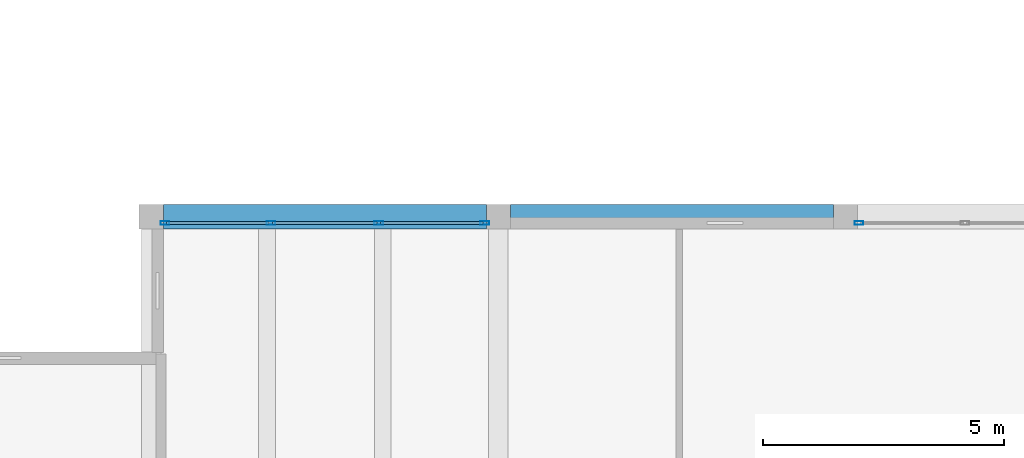
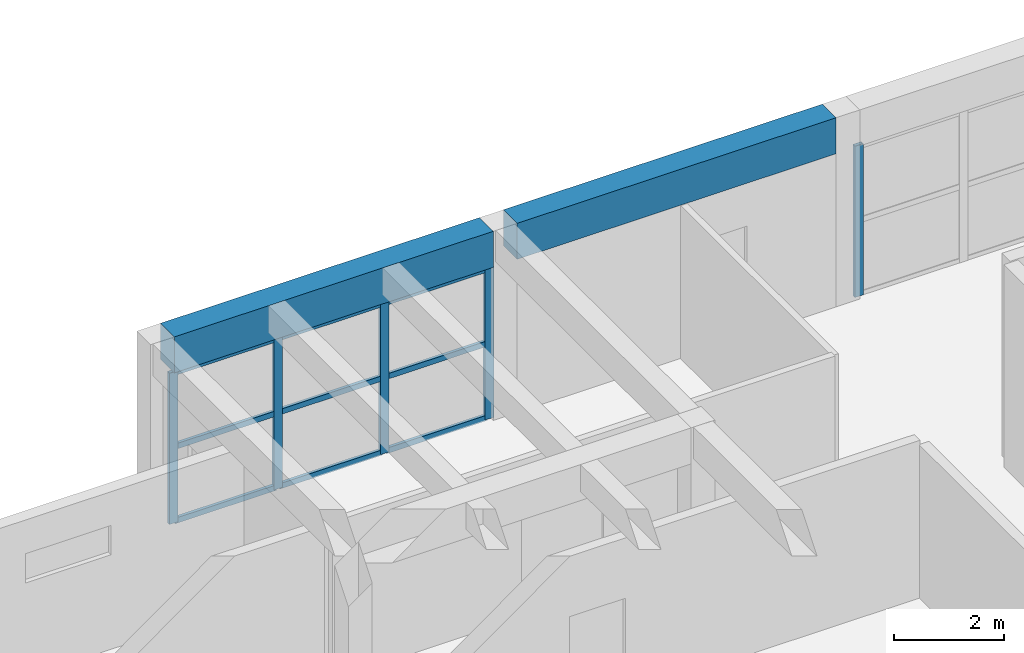
# One storey, part 102 of 153: 14 members, 2 beams, 2 elements without a shape of their own.
"""IFC4 building model written with IfcOpenShell, lengths in metres."""

from ifc_helpers import new_model, si_unit, direction, frame, origin, origin_2d, place, context, subcontext, project, spatial, rectangle, hollow_rectangle, extrude, material, material_profile, profile_set, type_object, element, aggregate, save


model = new_model("IFC4")

# Units and contexts
model_context = context("Model", 3, precision=1e-05, world=origin(), true_north=direction((0.0, 1.0)))
body_context = subcontext(model_context, "Body", "Model", "MODEL_VIEW")
ifc_project = project(units=[si_unit("LENGTHUNIT", "METRE"), si_unit("AREAUNIT", "SQUARE_METRE"), si_unit("VOLUMEUNIT", "CUBIC_METRE"), si_unit("PLANEANGLEUNIT", "RADIAN"), si_unit("MASSUNIT", "GRAM", prefix="KILO")], contexts=[model_context])

# Site, building, storey
site_placement = place(None, origin())
site = spatial("IfcSite", under=ifc_project, at=site_placement, CompositionType="ELEMENT")
building_placement = place(site_placement, origin())
building = spatial("IfcBuilding", under=site, at=building_placement, Name="Bramvelor Terrace Health Centre", CompositionType="ELEMENT")
storey_placement = place(building_placement, frame((0.0, 0.0, 4.800048828125)))
storey = spatial("IfcBuildingStorey", under=building, at=storey_placement, Name="L02", CompositionType="ELEMENT", Elevation=4.800048828125)

# Beams
ifc_material_1 = material(Name="Concrete C40/50", Category="concrete")
ifc_material_profile_1 = material_profile(ifc_material_1, rectangle(XDim=0.5, YDim=0.800048828125, at=origin_2d()), Name="RC 500x800")
ifc_profile_set_1 = profile_set([ifc_material_profile_1], Name="Concrete C40/50")
beam_type = type_object("IfcBeamType", Name="BM-RC-G800", PredefinedType="BEAM", material=ifc_profile_set_1)
for number, where, z_axis, x_axis, name in (
    (1, (65.050048828125, 100.800048828125, 3.800048828125), (1.0, 0.0, 0.0), (0.0, 1.0, 0.0), "L02 Floor Girder"),
    (2, (72.25, 100.800048828125, 3.800048828125), (1.0, 0.0, 0.0), (0.0, 1.0, 0.0), "L02 Floor Girder"),
):
    element("IfcBeam", number, at=place(storey_placement, frame(where, z_axis=z_axis, x_axis=x_axis)), inside=storey, type_object=beam_type, Name=name, PredefinedType="BEAM", context=body_context, shape_type="SweptSolid", body=[
        extrude(rectangle(XDim=0.5, YDim=0.800048828125, at=origin_2d()), origin(), (0.0, 0.0, 1.0), 6.699951171875),
    ])

# Curtain wall, members
ifc_material_2 = material(Name="Anodized aluminium and double low-E glass", Category="aluminium")
curtain_wall_type = type_object("IfcCurtainWallType", Name="CW-SYS-16", PredefinedType="NOTDEFINED", material=ifc_material_2)
curtain_wall_1_placement = place(storey_placement, origin())
curtain_wall_1 = element("IfcCurtainWall", 3, at=curtain_wall_1_placement, inside=storey, type_object=curtain_wall_type, Name="L02 Unitized Curtain Wall 86", PredefinedType="NOTDEFINED")
ifc_material_3 = material(Name="Anodized aluminium 6063-T6", Category="aluminium")
ifc_material_profile_2 = material_profile(ifc_material_3, hollow_rectangle(XDim=0.074951171875, YDim=0.179931640625, WallThickness=0.00341796875, at=origin_2d()), Name="ALU-MUL 75x180x3.5")
ifc_profile_set_2 = profile_set([ifc_material_profile_2], Name="Anodized aluminium 6063-T6")
member_type_1 = type_object("IfcMemberType", Name="CW-MUL-65x180", PredefinedType="MULLION", material=ifc_profile_set_2)
member_1_placement = place(storey_placement, frame((65.08251953125, 100.669921875, 0.0), z_axis=(0.0, 0.0, 1.0), x_axis=(0.0, 1.0, 0.0)))
member_1 = element("IfcMember", 4, at=member_1_placement, type_object=member_type_1, Name="CW-16 mullion 1", PredefinedType="MULLION", context=body_context, shape_type="SweptSolid", body=[
    extrude(hollow_rectangle(XDim=0.074951171875, YDim=0.179931640625, WallThickness=0.00341796875, at=origin_2d()), origin(), (0.0, 0.0, 1.0), 3.35986328125),
])
member_2_placement = place(storey_placement, frame((67.28173828125, 100.669921875, 0.0), z_axis=(0.0, 0.0, 1.0), x_axis=(0.0, 1.0, 0.0)))
member_2 = element("IfcMember", 5, at=member_2_placement, type_object=member_type_1, Name="CW-16 mullion 2", PredefinedType="MULLION", context=body_context, shape_type="SweptSolid", body=[
    extrude(hollow_rectangle(XDim=0.074951171875, YDim=0.179931640625, WallThickness=0.00341796875, at=origin_2d()), origin(), (0.0, 0.0, 1.0), 3.35986328125),
])
member_3_placement = place(storey_placement, frame((69.518310546875, 100.669921875, 0.0), z_axis=(0.0, 0.0, 1.0), x_axis=(0.0, 1.0, 0.0)))
member_3 = element("IfcMember", 6, at=member_3_placement, type_object=member_type_1, Name="CW-16 mullion 3", PredefinedType="MULLION", context=body_context, shape_type="SweptSolid", body=[
    extrude(hollow_rectangle(XDim=0.074951171875, YDim=0.179931640625, WallThickness=0.00341796875, at=origin_2d()), origin(), (0.0, 0.0, 1.0), 3.35986328125),
])
member_4_placement = place(storey_placement, frame((71.717529296875, 100.669921875, 0.0), z_axis=(0.0, 0.0, 1.0), x_axis=(0.0, 1.0, 0.0)))
member_4 = element("IfcMember", 7, at=member_4_placement, type_object=member_type_1, Name="CW-16 mullion 4", PredefinedType="MULLION", context=body_context, shape_type="SweptSolid", body=[
    extrude(hollow_rectangle(XDim=0.074951171875, YDim=0.179931640625, WallThickness=0.00341796875, at=origin_2d()), origin(), (0.0, 0.0, 1.0), 3.35986328125),
])

# Curtain wall, member
curtain_wall_2_placement = place(storey_placement, origin())
curtain_wall_2 = element("IfcCurtainWall", 8, at=curtain_wall_2_placement, inside=storey, type_object=curtain_wall_type, Name="L02 Unitized Curtain Wall 87", PredefinedType="NOTDEFINED")
member_5_placement = place(storey_placement, frame((79.482421875, 100.669921875, 0.0), z_axis=(0.0, 0.0, 1.0), x_axis=(0.0, 1.0, 0.0)))
member_5 = element("IfcMember", 9, at=member_5_placement, type_object=member_type_1, Name="CW-16 mullion 1", PredefinedType="MULLION", context=body_context, shape_type="SweptSolid", body=[
    extrude(hollow_rectangle(XDim=0.074951171875, YDim=0.179931640625, WallThickness=0.00341796875, at=origin_2d()), origin(), (0.0, 0.0, 1.0), 3.35986328125),
])
aggregate(curtain_wall_2, [member_5])

# Member
ifc_material_4 = material(Name="Anodized aluminium 6063-T6", Category="aluminium")
ifc_material_profile_3 = material_profile(ifc_material_4, hollow_rectangle(XDim=0.06494140625, YDim=0.1201171875, WallThickness=0.0029296875, at=origin_2d()), Name="ALU-TRN 65x120x3.0")
ifc_profile_set_3 = profile_set([ifc_material_profile_3], Name="Anodized aluminium 6063-T6")
member_type_2 = type_object("IfcMemberType", Name="CW-TRN-65x150", PredefinedType="USERDEFINED", material=ifc_profile_set_3)
member_6_placement = place(storey_placement, frame((65.1201171875, 100.669921875, 0.032470703125), z_axis=(1.0, 0.0, 0.0), x_axis=(0.0, 1.0, 0.0)))
member_6 = element("IfcMember", 10, at=member_6_placement, type_object=member_type_2, Name="CW-16 transom 1.1", ObjectType="TRANSOM", PredefinedType="USERDEFINED", context=body_context, shape_type="SweptSolid", body=[
    extrude(hollow_rectangle(XDim=0.06494140625, YDim=0.1201171875, WallThickness=0.0029296875, at=origin_2d()), origin(), (0.0, 0.0, 1.0), 2.1240234375),
])

member_7_placement = place(storey_placement, frame((65.1201171875, 100.669921875, 1.679931640625), z_axis=(1.0, 0.0, 0.0), x_axis=(0.0, 1.0, 0.0)))
member_7 = element("IfcMember", 11, at=member_7_placement, type_object=member_type_2, Name="CW-16 transom 1.2", ObjectType="TRANSOM", PredefinedType="USERDEFINED", context=body_context, shape_type="SweptSolid", body=[
    extrude(hollow_rectangle(XDim=0.06494140625, YDim=0.1201171875, WallThickness=0.0029296875, at=origin_2d()), origin(), (0.0, 0.0, 1.0), 2.1240234375),
])

member_8_placement = place(storey_placement, frame((65.1201171875, 100.669921875, 3.327392578125), z_axis=(1.0, 0.0, 0.0), x_axis=(0.0, 1.0, 0.0)))
member_8 = element("IfcMember", 12, at=member_8_placement, type_object=member_type_2, Name="CW-16 transom 1.3", ObjectType="TRANSOM", PredefinedType="USERDEFINED", context=body_context, shape_type="SweptSolid", body=[
    extrude(hollow_rectangle(XDim=0.06494140625, YDim=0.1201171875, WallThickness=0.0029296875, at=origin_2d()), origin(), (0.0, 0.0, 1.0), 2.1240234375),
])

member_9_placement = place(storey_placement, frame((67.319091796875, 100.669921875, 0.032470703125), z_axis=(1.0, 0.0, 0.0), x_axis=(0.0, 1.0, 0.0)))
member_9 = element("IfcMember", 13, at=member_9_placement, type_object=member_type_2, Name="CW-16 transom 2.1", ObjectType="TRANSOM", PredefinedType="USERDEFINED", context=body_context, shape_type="SweptSolid", body=[
    extrude(hollow_rectangle(XDim=0.06494140625, YDim=0.1201171875, WallThickness=0.0029296875, at=origin_2d()), origin(), (0.0, 0.0, 1.0), 2.16162109375),
])

member_10_placement = place(storey_placement, frame((67.319091796875, 100.669921875, 1.679931640625), z_axis=(1.0, 0.0, 0.0), x_axis=(0.0, 1.0, 0.0)))
member_10 = element("IfcMember", 14, at=member_10_placement, type_object=member_type_2, Name="CW-16 transom 2.2", ObjectType="TRANSOM", PredefinedType="USERDEFINED", context=body_context, shape_type="SweptSolid", body=[
    extrude(hollow_rectangle(XDim=0.06494140625, YDim=0.1201171875, WallThickness=0.0029296875, at=origin_2d()), origin(), (0.0, 0.0, 1.0), 2.16162109375),
])

member_11_placement = place(storey_placement, frame((67.319091796875, 100.669921875, 3.327392578125), z_axis=(1.0, 0.0, 0.0), x_axis=(0.0, 1.0, 0.0)))
member_11 = element("IfcMember", 15, at=member_11_placement, type_object=member_type_2, Name="CW-16 transom 2.3", ObjectType="TRANSOM", PredefinedType="USERDEFINED", context=body_context, shape_type="SweptSolid", body=[
    extrude(hollow_rectangle(XDim=0.06494140625, YDim=0.1201171875, WallThickness=0.0029296875, at=origin_2d()), origin(), (0.0, 0.0, 1.0), 2.16162109375),
])

member_12_placement = place(storey_placement, frame((69.555908203125, 100.669921875, 0.032470703125), z_axis=(1.0, 0.0, 0.0), x_axis=(0.0, 1.0, 0.0)))
member_12 = element("IfcMember", 16, at=member_12_placement, type_object=member_type_2, Name="CW-16 transom 3.1", ObjectType="TRANSOM", PredefinedType="USERDEFINED", context=body_context, shape_type="SweptSolid", body=[
    extrude(hollow_rectangle(XDim=0.06494140625, YDim=0.1201171875, WallThickness=0.0029296875, at=origin_2d()), origin(), (0.0, 0.0, 1.0), 2.1240234375),
])

member_13_placement = place(storey_placement, frame((69.555908203125, 100.669921875, 1.679931640625), z_axis=(1.0, 0.0, 0.0), x_axis=(0.0, 1.0, 0.0)))
member_13 = element("IfcMember", 17, at=member_13_placement, type_object=member_type_2, Name="CW-16 transom 3.2", ObjectType="TRANSOM", PredefinedType="USERDEFINED", context=body_context, shape_type="SweptSolid", body=[
    extrude(hollow_rectangle(XDim=0.06494140625, YDim=0.1201171875, WallThickness=0.0029296875, at=origin_2d()), origin(), (0.0, 0.0, 1.0), 2.1240234375),
])

member_14_placement = place(storey_placement, frame((69.555908203125, 100.669921875, 3.327392578125), z_axis=(1.0, 0.0, 0.0), x_axis=(0.0, 1.0, 0.0)))
member_14 = element("IfcMember", 18, at=member_14_placement, type_object=member_type_2, Name="CW-16 transom 3.3", ObjectType="TRANSOM", PredefinedType="USERDEFINED", context=body_context, shape_type="SweptSolid", body=[
    extrude(hollow_rectangle(XDim=0.06494140625, YDim=0.1201171875, WallThickness=0.0029296875, at=origin_2d()), origin(), (0.0, 0.0, 1.0), 2.1240234375),
])

aggregate(curtain_wall_1, [member_1, member_2, member_3, member_4, member_6, member_7, member_8, member_9, member_10, member_11, member_12, member_13, member_14])

save(model, "model.ifc")
